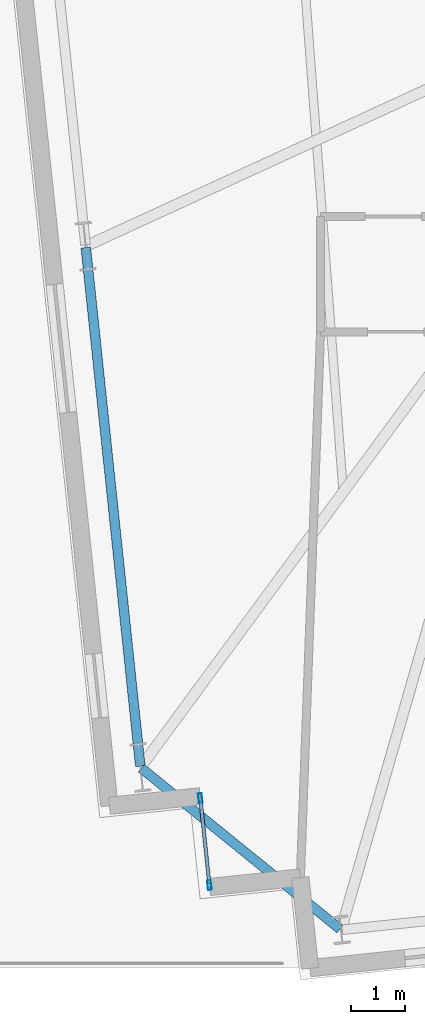
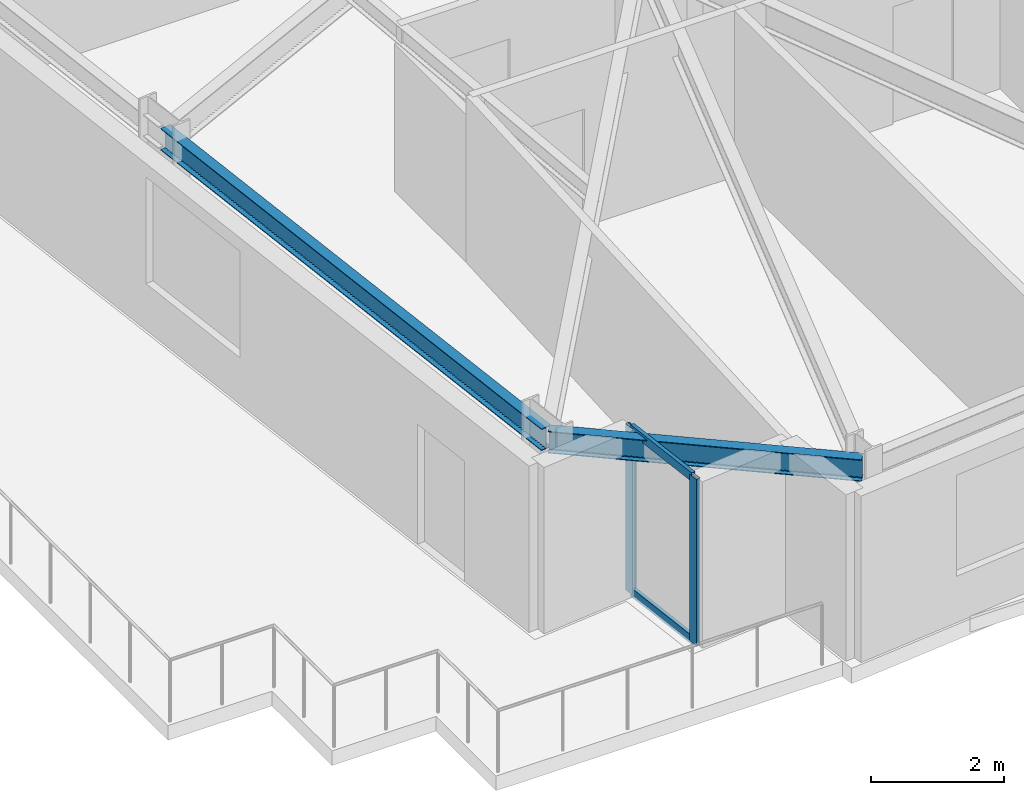
# One storey, part 4 of 20: 4 members, 2 beams, 1 element without a shape of its own.
"""IFC4 building model written with IfcOpenShell, lengths in metres."""

from ifc_helpers import new_model, si_unit, direction, frame, origin, origin_2d, place, context, subcontext, project, spatial, hollow_rectangle, i_section, extrude, material, layer, layer_set, material_profile, profile_set, type_object, element, aggregate, save


model = new_model("IFC4")

# Units and contexts
model_context = context("Model", 3, precision=1e-05, world=origin(), true_north=direction((0.0, 1.0)))
body_context = subcontext(model_context, "Body", "Model", "MODEL_VIEW")
ifc_project = project(units=[si_unit("LENGTHUNIT", "METRE"), si_unit("AREAUNIT", "SQUARE_METRE"), si_unit("VOLUMEUNIT", "CUBIC_METRE"), si_unit("PLANEANGLEUNIT", "RADIAN"), si_unit("MASSUNIT", "GRAM", prefix="KILO")], contexts=[model_context])

# Site, building, storey
site_placement = place(None, origin())
site = spatial("IfcSite", under=ifc_project, at=site_placement, CompositionType="ELEMENT")
building_placement = place(site_placement, origin())
building = spatial("IfcBuilding", under=site, at=building_placement, Name="Qobustan Lattice House", CompositionType="ELEMENT")
storey_placement = place(building_placement, frame((0.0, 0.0, 79.0)))
storey = spatial("IfcBuildingStorey", under=building, at=storey_placement, Name="L21", CompositionType="ELEMENT", Elevation=79.0)

# Beams
ifc_material_1 = material(Name="Steel S355", Category="steel")
ifc_material_profile_1 = material_profile(ifc_material_1, i_section(OverallWidth=0.179931640625, OverallDepth=0.39990234375, WebThickness=0.008544921875, FlangeThickness=0.013427734375, FilletRadius=0.02099609375, at=origin_2d()), Name="IPE400")
ifc_profile_set_1 = profile_set([ifc_material_profile_1], Name="Steel S355")
beam_type = type_object("IfcBeamType", Name="BM-SPD-IPE400", PredefinedType="SPANDREL", material=ifc_profile_set_1)
beam_1_placement = place(storey_placement, frame((-27.37451171875, -6.180908203125, 2.844970703125), z_axis=(0.104527826257, -0.994521962321, 0.0), x_axis=(0.994521962321, 0.104527826257, 0.0)))
element("IfcBeam", 1, at=beam_1_placement, inside=storey, type_object=beam_type, Name="L21 perimeter spandrel W3-W4", PredefinedType="SPANDREL", context=body_context, shape_type="SweptSolid", body=[
    extrude(i_section(OverallWidth=0.179931640625, OverallDepth=0.39990234375, WebThickness=0.008544921875, FlangeThickness=0.013427734375, FilletRadius=0.02099609375, at=origin_2d()), origin(), (0.0, 0.0, 1.0), 9.71630859375),
])
beam_2_placement = place(storey_placement, frame((-26.3369140625, -15.884765625, 2.844970703125), z_axis=(0.777140911545, -0.629326627121, 0.0), x_axis=(0.629326627121, 0.777140911545, 0.0)))
element("IfcBeam", 2, at=beam_2_placement, inside=storey, type_object=beam_type, Name="L21 perimeter spandrel W4-S1", PredefinedType="SPANDREL", context=body_context, shape_type="SweptSolid", body=[
    extrude(i_section(OverallWidth=0.179931640625, OverallDepth=0.39990234375, WebThickness=0.008544921875, FlangeThickness=0.013427734375, FilletRadius=0.02099609375, at=origin_2d()), origin(), (0.0, 0.0, 1.0), 4.758544921875),
])

# Curtain wall, members
ifc_material_2 = material(Name="Anodised aluminium and low-E glazing", Category="aluminium")
ifc_layer = layer(ifc_material_2, 0.219970703125)
ifc_layer_set = layer_set([ifc_layer], Name="Anodised aluminium and low-E glazing")
curtain_wall_type = type_object("IfcCurtainWallType", Name="CW-FAC-01", PredefinedType="USERDEFINED", material=ifc_layer_set)
curtain_wall_placement = place(storey_placement, origin())
curtain_wall = element("IfcCurtainWall", 3, at=curtain_wall_placement, inside=storey, type_object=curtain_wall_type, Name="L21 serrated corner faceted glazing 3", ObjectType="CURTAIN WALL", PredefinedType="USERDEFINED")
ifc_material_3 = material(Name="Anodised aluminium EN AW-6063 T6", Category="aluminium")
ifc_material_profile_2 = material_profile(ifc_material_3, hollow_rectangle(XDim=0.070068359375, YDim=0.179931640625, WallThickness=0.00439453125, at=origin_2d()), Name="CWM-180x70")
ifc_profile_set_2 = profile_set([ifc_material_profile_2], Name="Anodised aluminium EN AW-6063 T6")
member_type_1 = type_object("IfcMemberType", Name="CWM-STD-180", PredefinedType="MULLION", material=ifc_profile_set_2)
member_1_placement = place(storey_placement, frame((-25.070068359375, -18.0615234375, 0.0), z_axis=(0.0, 0.0, 1.0), x_axis=(-0.994521878892, -0.104528620025, 0.0)))
member_1 = element("IfcMember", 4, at=member_1_placement, type_object=member_type_1, Name="CW-F1 mullion 1", PredefinedType="MULLION", context=body_context, shape_type="SweptSolid", body=[
    extrude(hollow_rectangle(XDim=0.070068359375, YDim=0.179931640625, WallThickness=0.00439453125, at=origin_2d()), origin(), (0.0, 0.0, 1.0), 3.044921875),
])
member_2_placement = place(storey_placement, frame((-25.240234375, -16.4404296875, 0.0), z_axis=(0.0, 0.0, 1.0), x_axis=(-0.994521878892, -0.104528620025, 0.0)))
member_2 = element("IfcMember", 5, at=member_2_placement, type_object=member_type_1, Name="CW-F1 mullion 2", PredefinedType="MULLION", context=body_context, shape_type="SweptSolid", body=[
    extrude(hollow_rectangle(XDim=0.070068359375, YDim=0.179931640625, WallThickness=0.00439453125, at=origin_2d()), origin(), (0.0, 0.0, 1.0), 3.044921875),
])
ifc_material_4 = material(Name="Anodised aluminium EN AW-6063 T6", Category="aluminium")
ifc_material_profile_3 = material_profile(ifc_material_4, hollow_rectangle(XDim=0.06494140625, YDim=0.159912109375, WallThickness=0.00390625, at=origin_2d()), Name="CWT-160x65")
ifc_profile_set_3 = profile_set([ifc_material_profile_3], Name="Anodised aluminium EN AW-6063 T6")
member_type_2 = type_object("IfcMemberType", Name="CWT-HOR-160", PredefinedType="USERDEFINED", material=ifc_profile_set_3)
member_3_placement = place(storey_placement, frame((-25.07373046875, -18.02685546875, 0.032470703125), z_axis=(-0.104383362594, 0.994537135362, 0.0), x_axis=(-0.994537135362, -0.104383362594, 0.0)))
member_3 = element("IfcMember", 6, at=member_3_placement, type_object=member_type_2, Name="CW-F1 transom 1.1", ObjectType="TRANSOM", PredefinedType="USERDEFINED", context=body_context, shape_type="SweptSolid", body=[
    extrude(hollow_rectangle(XDim=0.06494140625, YDim=0.159912109375, WallThickness=0.00390625, at=origin_2d()), origin(), (0.0, 0.0, 1.0), 1.56005859375),
])
member_4_placement = place(storey_placement, frame((-25.07373046875, -18.02685546875, 3.012451171875), z_axis=(-0.104383362594, 0.994537135362, 0.0), x_axis=(-0.994537135362, -0.104383362594, 0.0)))
member_4 = element("IfcMember", 7, at=member_4_placement, type_object=member_type_2, Name="CW-F1 transom 1.2", ObjectType="TRANSOM", PredefinedType="USERDEFINED", context=body_context, shape_type="SweptSolid", body=[
    extrude(hollow_rectangle(XDim=0.06494140625, YDim=0.159912109375, WallThickness=0.00390625, at=origin_2d()), origin(), (0.0, 0.0, 1.0), 1.56005859375),
])
aggregate(curtain_wall, [member_1, member_2, member_3, member_4])

save(model, "model.ifc")
